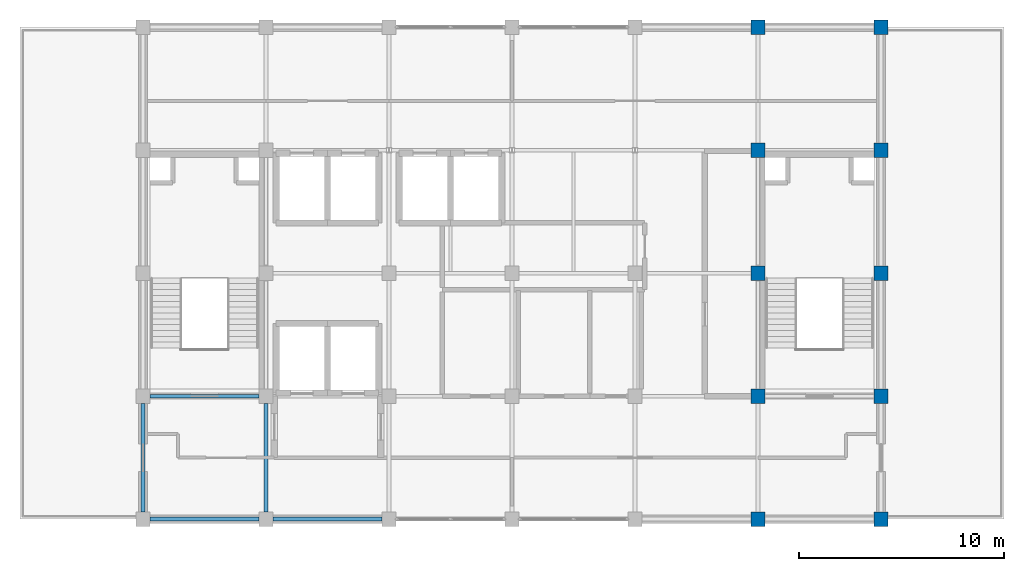
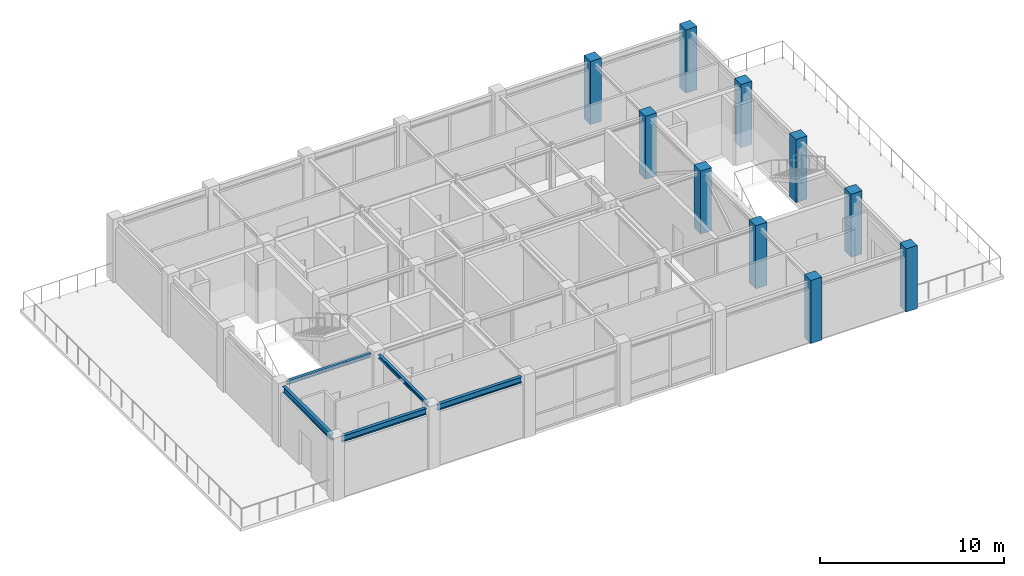
# One storey, part 3 of 14: 10 columns, 5 beams.
"""IFC4 building model written with IfcOpenShell, lengths in metres."""

from ifc_helpers import new_model, si_unit, direction, frame, origin, origin_2d, place, context, subcontext, project, spatial, rectangle, i_section, extrude, material, material_profile, profile_set, type_object, element, save


model = new_model("IFC4")

# Units and contexts
model_context = context("Model", 3, precision=1e-05, world=origin(), true_north=direction((0.0, 1.0)))
body_context = subcontext(model_context, "Body", "Model", "MODEL_VIEW")
ifc_project = project(units=[si_unit("LENGTHUNIT", "METRE"), si_unit("AREAUNIT", "SQUARE_METRE"), si_unit("VOLUMEUNIT", "CUBIC_METRE"), si_unit("PLANEANGLEUNIT", "RADIAN"), si_unit("MASSUNIT", "GRAM", prefix="KILO")], contexts=[model_context])

# Site, building, storey
site_placement = place(None, origin())
site = spatial("IfcSite", under=ifc_project, at=site_placement, CompositionType="ELEMENT")
building_placement = place(site_placement, origin())
building = spatial("IfcBuilding", under=site, at=building_placement, Name="Zlatovratsky Civic Hall", CompositionType="ELEMENT")
storey_placement = place(building_placement, frame((0.0, 0.0, 67.800048828125)))
storey = spatial("IfcBuildingStorey", under=building, at=storey_placement, Name="L17", CompositionType="ELEMENT", Elevation=67.800048828125)

# Columns
ifc_material_1 = material(Name="Concrete C35/45 (B40)", Category="concrete")
ifc_material_profile_1 = material_profile(ifc_material_1, rectangle(XDim=0.699951171875, YDim=0.699951171875, at=origin_2d()), Name="RC 700x700")
ifc_profile_set_1 = profile_set([ifc_material_profile_1], Name="Concrete C35/45 (B40)")
column_type = type_object("IfcColumnType", Name="Col_CorePier_RC700", PredefinedType="COLUMN", material=ifc_profile_set_1)
for number, where, z_axis, x_axis, name in (
    (1, (96.0, 78.0, 0.0), (0.0, 0.0, 1.0), (1.0, 0.0, 0.0), "CL-2650"),
    (2, (102.0, 78.0, 0.0), (0.0, 0.0, 1.0), (1.0, 0.0, 0.0), "CL-2651"),
    (3, (96.0, 84.0, 0.0), (0.0, 0.0, 1.0), (1.0, 0.0, 0.0), "CL-2657"),
    (4, (102.0, 84.0, 0.0), (0.0, 0.0, 1.0), (1.0, 0.0, 0.0), "CL-2658"),
    (5, (96.0, 90.0, 0.0), (0.0, 0.0, 1.0), (1.0, 0.0, 0.0), "CL-2664"),
    (6, (102.0, 90.0, 0.0), (0.0, 0.0, 1.0), (1.0, 0.0, 0.0), "CL-2665"),
    (7, (96.0, 96.0, 0.0), (0.0, 0.0, 1.0), (1.0, 0.0, 0.0), "CL-2671"),
    (8, (102.0, 96.0, 0.0), (0.0, 0.0, 1.0), (1.0, 0.0, 0.0), "CL-2672"),
    (9, (96.0, 102.0, 0.0), (0.0, 0.0, 1.0), (1.0, 0.0, 0.0), "CL-2678"),
    (10, (102.0, 102.0, 0.0), (0.0, 0.0, 1.0), (1.0, 0.0, 0.0), "CL-2679"),
):
    element("IfcColumn", number, at=place(storey_placement, frame(where, z_axis=z_axis, x_axis=x_axis)), inside=storey, type_object=column_type, Name=name, PredefinedType="COLUMN", context=body_context, shape_type="SweptSolid", body=[
        extrude(rectangle(XDim=0.699951171875, YDim=0.699951171875, at=origin_2d()), origin(), (0.0, 0.0, 1.0), 4.199951171875),
    ])

# Beams
ifc_material_2 = material(Name="Steel S355", Category="steel")
ifc_material_profile_2 = material_profile(ifc_material_2, i_section(OverallWidth=0.175048828125, OverallDepth=0.243896484375, WebThickness=0.007080078125, FlangeThickness=0.010986328125, FilletRadius=0.01611328125, at=origin_2d()), Name="25Sh1")
ifc_profile_set_2 = profile_set([ifc_material_profile_2], Name="Steel S355")
beam_type_1 = type_object("IfcBeamType", Name="Beam_Crown_25Sh1", PredefinedType="BEAM", material=ifc_profile_set_2)
for number, where, z_axis, x_axis, name in (
    (11, (66.35009765625, 84.0, 3.837890625), (1.0, 0.0, 0.0), (0.0, 1.0, 0.0), "BM-5199"),
    (12, (72.0, 78.35009765625, 3.837890625), (0.0, 1.0, 0.0), (-1.0, 0.0, 0.0), "BM-5225"),
):
    element("IfcBeam", number, at=place(storey_placement, frame(where, z_axis=z_axis, x_axis=x_axis)), inside=storey, type_object=beam_type_1, Name=name, PredefinedType="BEAM", context=body_context, shape_type="SweptSolid", body=[
        extrude(i_section(OverallWidth=0.175048828125, OverallDepth=0.243896484375, WebThickness=0.007080078125, FlangeThickness=0.010986328125, FilletRadius=0.01611328125, at=origin_2d()), origin(), (0.0, 0.0, 1.0), 5.2998046875),
    ])
ifc_material_profile_3 = material_profile(ifc_material_2, i_section(OverallWidth=0.199951171875, OverallDepth=0.39990234375, WebThickness=0.008056640625, FlangeThickness=0.012939453125, FilletRadius=0.014892578125, at=origin_2d()), Name="40B2")
ifc_profile_set_3 = profile_set([ifc_material_profile_3], Name="Steel S355")
beam_type_2 = type_object("IfcBeamType", Name="Beam_Spandrel_40B2", PredefinedType="SPANDREL", material=ifc_profile_set_3)
for number, where, z_axis, x_axis, name in (
    (13, (66.35009765625, 78.0, 3.760009765625), (1.0, 0.0, 0.0), (0.0, 1.0, 0.0), "BM-5193"),
    (14, (72.35009765625, 78.0, 3.760009765625), (1.0, 0.0, 0.0), (0.0, 1.0, 0.0), "BM-5194"),
    (15, (66.0, 78.35009765625, 3.760009765625), (0.0, 1.0, 0.0), (-1.0, 0.0, 0.0), "BM-5221"),
):
    element("IfcBeam", number, at=place(storey_placement, frame(where, z_axis=z_axis, x_axis=x_axis)), inside=storey, type_object=beam_type_2, Name=name, PredefinedType="SPANDREL", context=body_context, shape_type="SweptSolid", body=[
        extrude(i_section(OverallWidth=0.199951171875, OverallDepth=0.39990234375, WebThickness=0.008056640625, FlangeThickness=0.012939453125, FilletRadius=0.014892578125, at=origin_2d()), origin(), (0.0, 0.0, 1.0), 5.2998046875),
    ])

save(model, "model.ifc")
